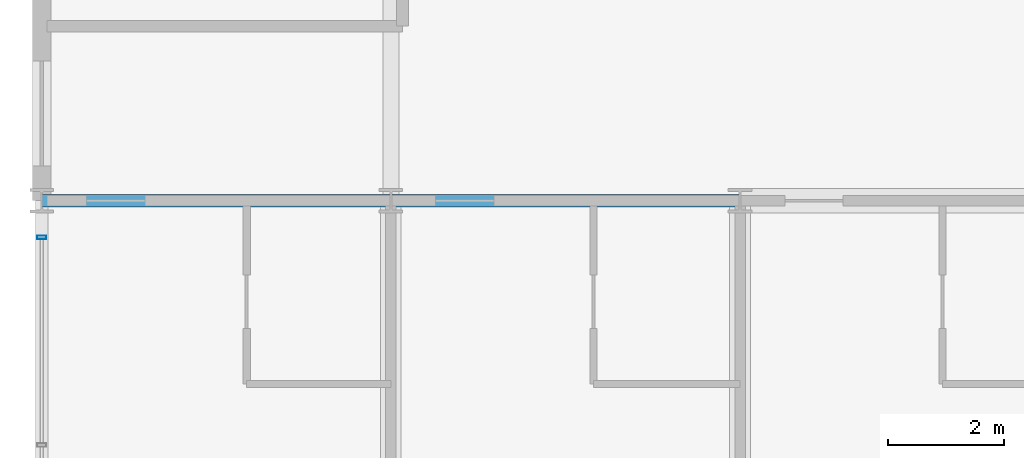
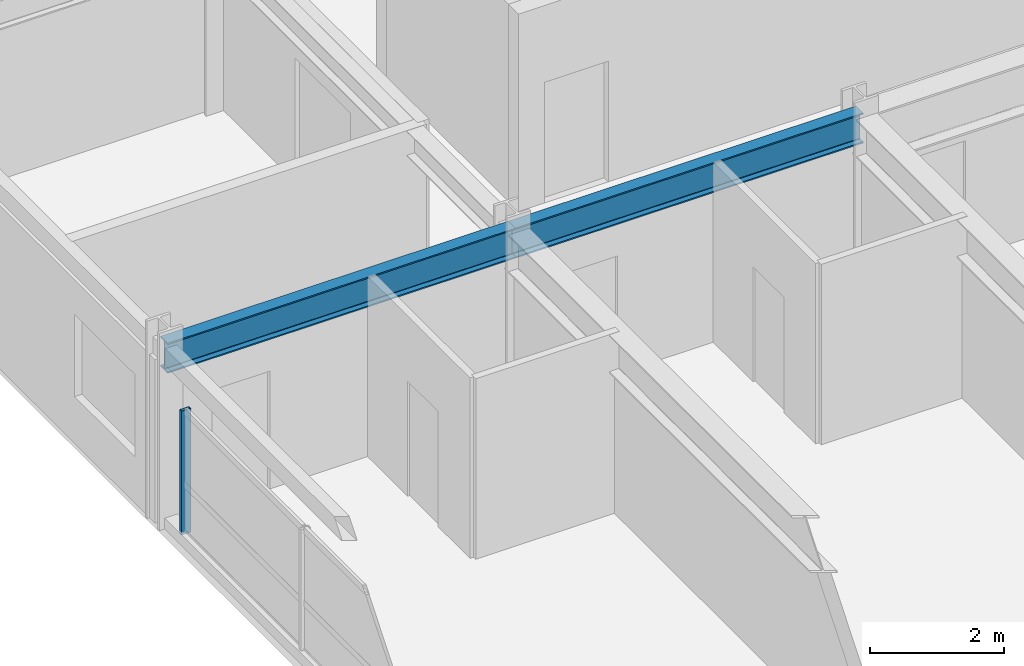
# One storey, part 4 of 20: 2 beams, 1 member, 1 element without a shape of its own.
"""IFC4 building model written with IfcOpenShell, lengths in metres."""

from ifc_helpers import new_model, si_unit, direction, frame, origin, origin_2d, place, context, subcontext, project, spatial, hollow_rectangle, i_section, extrude, material, material_profile, profile_set, type_object, element, aggregate, save


model = new_model("IFC4")

# Units and contexts
model_context = context("Model", 3, precision=1e-05, world=origin(), true_north=direction((0.0, 1.0)))
body_context = subcontext(model_context, "Body", "Model", "MODEL_VIEW")
ifc_project = project(units=[si_unit("LENGTHUNIT", "METRE"), si_unit("AREAUNIT", "SQUARE_METRE"), si_unit("VOLUMEUNIT", "CUBIC_METRE"), si_unit("PLANEANGLEUNIT", "RADIAN"), si_unit("MASSUNIT", "GRAM", prefix="KILO")], contexts=[model_context])

# Site, building, storey
site_placement = place(None, origin())
site = spatial("IfcSite", under=ifc_project, at=site_placement, CompositionType="ELEMENT")
building_placement = place(site_placement, origin())
building = spatial("IfcBuilding", under=site, at=building_placement, Name="Kaldorvane Square Convention Centre", CompositionType="ELEMENT")
storey_placement = place(building_placement, frame((0.0, 0.0, 56.399993896484375)))
storey = spatial("IfcBuildingStorey", under=building, at=storey_placement, Name="L13", CompositionType="ELEMENT", Elevation=56.399993896484375)

# Beams
ifc_material_1 = material(Name="Steel ASTM A992 Gr. 50", Category="steel")
ifc_material_profile_1 = material_profile(ifc_material_1, i_section(OverallWidth=0.213897705078125, OverallDepth=0.549102783203125, WebThickness=0.0146942138671875, FlangeThickness=0.0236053466796875, FilletRadius=0.0126953125, at=origin_2d()), Name="W21X93")
ifc_profile_set_1 = profile_set([ifc_material_profile_1], Name="Steel ASTM A992 Gr. 50")
beam_type = type_object("IfcBeamType", Name="BM-GR-W21X93", PredefinedType="BEAM", material=ifc_profile_set_1)
for number, where, z_axis, x_axis, name in (
    (1, (30.0, 96.0, 3.011505126953125), (1.0, 0.0, 0.0), (0.0, 1.0, 0.0), "Primary Girder (L13)"),
    (2, (36.0, 96.0, 3.011505126953125), (1.0, 0.0, 0.0), (0.0, 1.0, 0.0), "Primary Girder (L13)"),
):
    element("IfcBeam", number, at=place(storey_placement, frame(where, z_axis=z_axis, x_axis=x_axis)), inside=storey, type_object=beam_type, Name=name, PredefinedType="BEAM", context=body_context, shape_type="SweptSolid", body=[
        extrude(i_section(OverallWidth=0.213897705078125, OverallDepth=0.549102783203125, WebThickness=0.0146942138671875, FlangeThickness=0.0236053466796875, FilletRadius=0.0126953125, at=origin_2d()), origin(), (0.0, 0.0, 1.0), 6.0),
    ])

# Curtain wall, member
ifc_material_2 = material(Name="Anodized Aluminum and Low-E Insulated Glazing", Category="aluminium")
curtain_wall_type = type_object("IfcCurtainWallType", Name="CW-UNI-HTL-B", PredefinedType="USERDEFINED", material=ifc_material_2)
curtain_wall_placement = place(storey_placement, origin())
curtain_wall = element("IfcCurtainWall", 3, at=curtain_wall_placement, inside=storey, type_object=curtain_wall_type, Name="Curtain Wall CW-11 (L13)", ObjectType="UNITISED GLAZING", PredefinedType="USERDEFINED")
ifc_material_profile_2 = material_profile(ifc_material_2, hollow_rectangle(XDim=0.05999755859375, YDim=0.160003662109375, WallThickness=0.003204345703125, at=origin_2d()), Name="CWM-160X60")
ifc_profile_set_2 = profile_set([ifc_material_profile_2], Name="Anodized Aluminum and Low-E Insulated Glazing")
member_type = type_object("IfcMemberType", Name="CW-MUL-160", PredefinedType="MULLION", material=ifc_profile_set_2)
member_placement = place(storey_placement, frame((30.0, 95.3699951171875, 0.1500091552734375), z_axis=(0.0, 0.0, 1.0), x_axis=(0.0, -1.0, 0.0)))
member = element("IfcMember", 4, at=member_placement, type_object=member_type, Name="CW-11 mullion 1", PredefinedType="MULLION", context=body_context, shape_type="SweptSolid", body=[
    extrude(hollow_rectangle(XDim=0.05999755859375, YDim=0.160003662109375, WallThickness=0.003204345703125, at=origin_2d()), origin(), (0.0, 0.0, 1.0), 2.2599945068359375),
])
aggregate(curtain_wall, [member])

save(model, "model.ifc")
